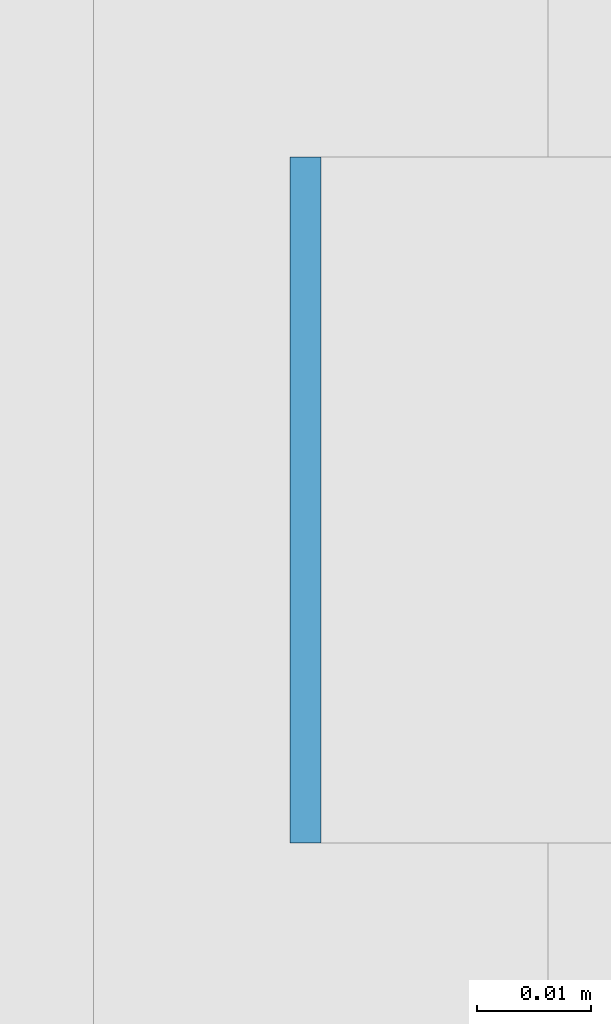
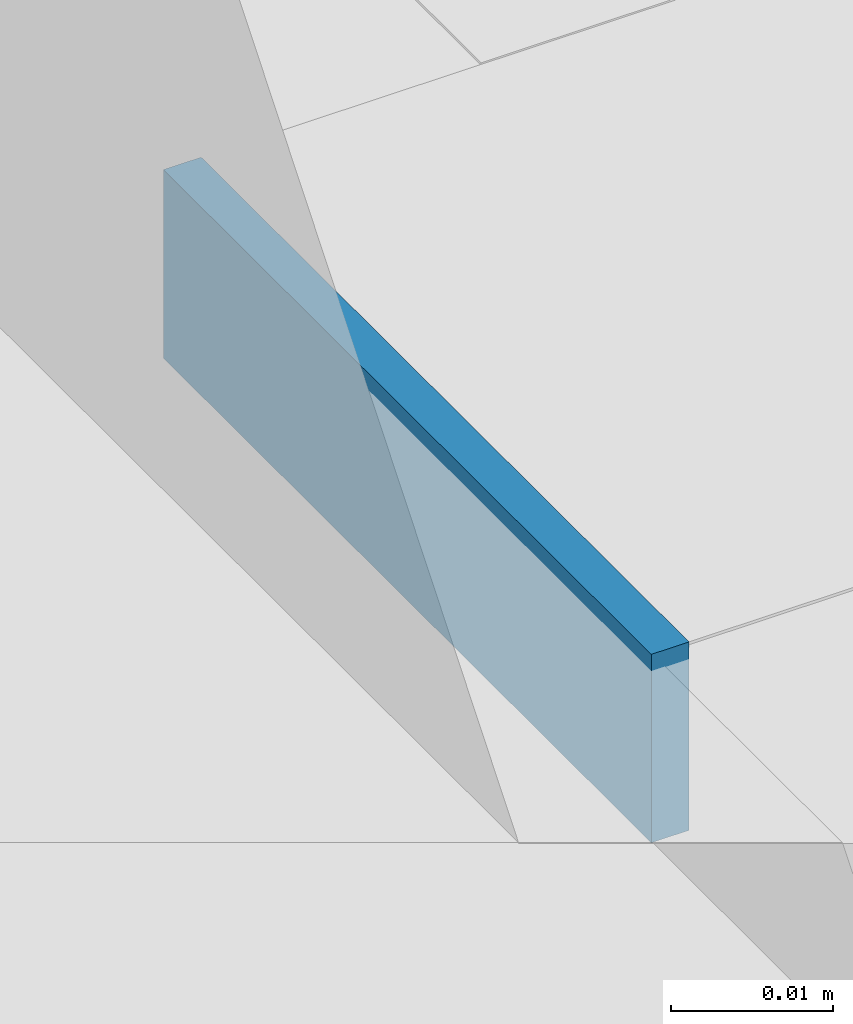
# One storey, part 595 of 646: 1 discrete accessory.
"""IFC4 building model written with IfcOpenShell, lengths in metres."""

from ifc_helpers import new_model, si_unit, direction, frame, origin, origin_2d, place, context, subcontext, project, spatial, rectangle, extrude, material, type_object, element, save


model = new_model("IFC4")

# Units and contexts
model_context = context("Model", 3, precision=1e-05, world=origin(), true_north=direction((0.0, 1.0)))
body_context = subcontext(model_context, "Body", "Model", "MODEL_VIEW")
ifc_project = project(units=[si_unit("LENGTHUNIT", "METRE"), si_unit("AREAUNIT", "SQUARE_METRE"), si_unit("VOLUMEUNIT", "CUBIC_METRE"), si_unit("PLANEANGLEUNIT", "RADIAN"), si_unit("MASSUNIT", "GRAM", prefix="KILO")], contexts=[model_context])

# Site, building, storey
site_placement = place(None, origin())
site = spatial("IfcSite", under=ifc_project, at=site_placement, CompositionType="ELEMENT")
building_placement = place(site_placement, origin())
building = spatial("IfcBuilding", under=site, at=building_placement, Name="Silverbay Arena", CompositionType="ELEMENT")
storey_placement = place(building_placement, frame((0.0, 0.0, 33.5)))
storey = spatial("IfcBuildingStorey", under=building, at=storey_placement, Name="L05", CompositionType="ELEMENT", Elevation=33.5)

# Discrete accessory
ifc_material = material(Name="Steel S355", Category="steel")
discrete_accessory_type = type_object("IfcDiscreteAccessoryType", Name="Steel bracket plate", PredefinedType="BRACKET", material=ifc_material)
discrete_accessory_placement = place(storey_placement, frame((207.128662109375, 120.857177734375, 12.98583984375), z_axis=(0.0, 0.0, 1.0), x_axis=(1.0, 0.0, 0.0)))
element("IfcDiscreteAccessory", 1, at=discrete_accessory_placement, inside=storey, type_object=discrete_accessory_type, Name="Curtain wall packing plate", PredefinedType="BRACKET", context=body_context, shape_type="SweptSolid", body=[
    extrude(rectangle(XDim=0.002685546875, YDim=0.06005859375, at=origin_2d()), origin(), (0.0, 0.0, 1.0), 0.01416015625),
])

save(model, "model.ifc")
